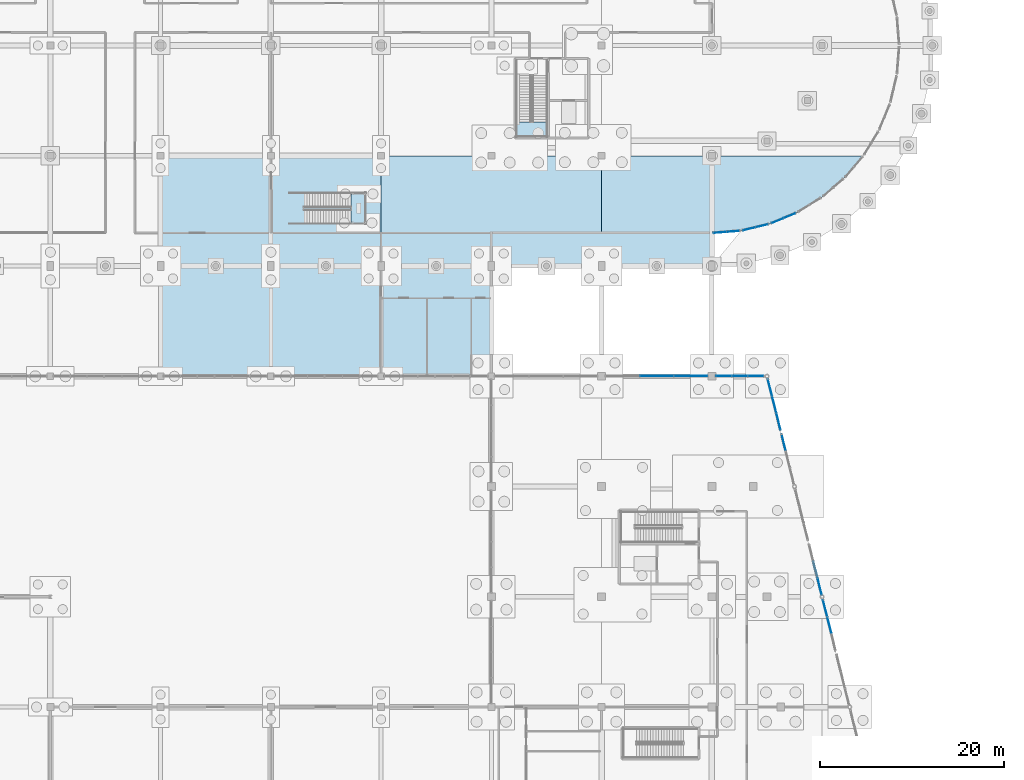
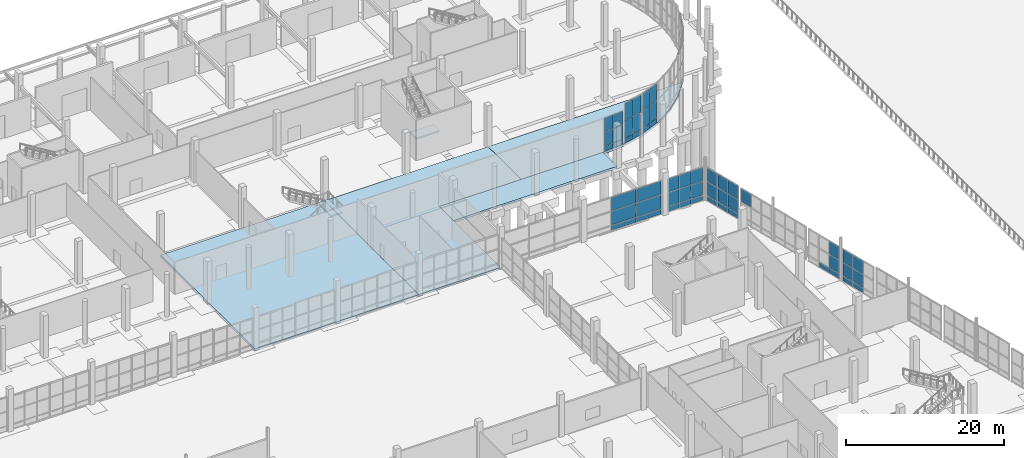
# One storey, part 69 of 117: 53 plates, 6 slabs, 11 elements without a shape of their own.
"""IFC4 building model written with IfcOpenShell, lengths in metres."""

from ifc_helpers import new_model, si_unit, direction, frame, origin, origin_2d, place, context, subcontext, project, spatial, polyline, rectangle, outline, extrude, material, layer, layer_set, type_object, element, aggregate, save


model = new_model("IFC4")

# Units and contexts
model_context = context("Model", 3, precision=1e-05, world=origin(), true_north=direction((0.0, 1.0)))
body_context = subcontext(model_context, "Body", "Model", "MODEL_VIEW")
ifc_project = project(units=[si_unit("LENGTHUNIT", "METRE"), si_unit("AREAUNIT", "SQUARE_METRE"), si_unit("VOLUMEUNIT", "CUBIC_METRE"), si_unit("PLANEANGLEUNIT", "RADIAN"), si_unit("MASSUNIT", "GRAM", prefix="KILO")], contexts=[model_context])

# Site, building, storey
site_placement = place(None, origin())
site = spatial("IfcSite", under=ifc_project, at=site_placement, CompositionType="ELEMENT")
building_placement = place(site_placement, origin())
building = spatial("IfcBuilding", under=site, at=building_placement, Name="Kamomehara Wholesale Market", CompositionType="ELEMENT")
storey_placement = place(building_placement, origin())
storey = spatial("IfcBuildingStorey", under=building, at=storey_placement, Name="L00", CompositionType="ELEMENT", Elevation=0.0)

# Curtain wall, plates
ifc_material_1 = material(Name="Anodised aluminium 6063-T5", Category="aluminium")
curtain_wall_type_1 = type_object("IfcCurtainWallType", Name="CW-UN-07", PredefinedType="NOTDEFINED", material=ifc_material_1)
curtain_wall_1_placement = place(storey_placement, origin())
curtain_wall_1 = element("IfcCurtainWall", 1, at=curtain_wall_1_placement, inside=storey, type_object=curtain_wall_type_1, Name="Unitised curtain wall CW-046", PredefinedType="NOTDEFINED")
ifc_material_2 = material(Name="Solar-control Low-E double glazing", Category="glass")
ifc_layer_1 = layer(ifc_material_2, 0.028076171875)
ifc_layer_set_1 = layer_set([ifc_layer_1], Name="Solar-control Low-E double glazing")
plate_type_1 = type_object("IfcPlateType", Name="CW-PNL-GLZ", PredefinedType="CURTAIN_PANEL", material=ifc_layer_set_1)
plate_1_placement = place(storey_placement, frame((188.446044921875, 113.464111328125, 0.8798828125), z_axis=(0.0, 0.0, 1.0), x_axis=(-0.923919601961, -0.382586681829, 0.0)))
plate_1 = element("IfcPlate", 2, at=plate_1_placement, type_object=plate_type_1, Name="Curtain panel CW-046.0.1", PredefinedType="CURTAIN_PANEL", context=body_context, shape_type="SweptSolid", body=[
    extrude(rectangle(XDim=1.341064453125, YDim=0.028076171875, at=origin_2d()), origin(), (0.0, 0.0, 1.0), 2.652099609375),
])
plate_2_placement = place(storey_placement, frame((188.446044921875, 113.464111328125, 3.59228515625), z_axis=(0.0, 0.0, 1.0), x_axis=(-0.923919601961, -0.382586681829, 0.0)))
plate_2 = element("IfcPlate", 3, at=plate_2_placement, type_object=plate_type_1, Name="Curtain panel CW-046.0.2", PredefinedType="CURTAIN_PANEL", context=body_context, shape_type="SweptSolid", body=[
    extrude(rectangle(XDim=1.341064453125, YDim=0.028076171875, at=origin_2d()), origin(), (0.0, 0.0, 1.0), 2.613037109375),
])
plate_3_placement = place(storey_placement, frame((187.134033203125, 112.919921875, 0.8798828125), z_axis=(0.0, 0.0, 1.0), x_axis=(-0.923919601961, -0.382586681829, 0.0)))
plate_3 = element("IfcPlate", 4, at=plate_3_placement, type_object=plate_type_1, Name="Curtain panel CW-046.1.1", PredefinedType="CURTAIN_PANEL", context=body_context, shape_type="SweptSolid", body=[
    extrude(rectangle(XDim=1.341064453125, YDim=0.028076171875, at=origin_2d()), origin(), (0.0, 0.0, 1.0), 2.652099609375),
])
plate_4_placement = place(storey_placement, frame((187.134033203125, 112.919921875, 3.59228515625), z_axis=(0.0, 0.0, 1.0), x_axis=(-0.923919601961, -0.382586681829, 0.0)))
plate_4 = element("IfcPlate", 5, at=plate_4_placement, type_object=plate_type_1, Name="Curtain panel CW-046.1.2", PredefinedType="CURTAIN_PANEL", context=body_context, shape_type="SweptSolid", body=[
    extrude(rectangle(XDim=1.341064453125, YDim=0.028076171875, at=origin_2d()), origin(), (0.0, 0.0, 1.0), 2.613037109375),
])

curtain_wall_2_placement = place(storey_placement, origin())
curtain_wall_2 = element("IfcCurtainWall", 6, at=curtain_wall_2_placement, inside=storey, type_object=curtain_wall_type_1, Name="Unitised curtain wall CW-047", PredefinedType="NOTDEFINED")
plate_5_placement = place(storey_placement, frame((185.443115234375, 112.37109375, 0.8798828125), z_axis=(0.0, 0.0, 1.0), x_axis=(-0.972398433872, -0.233326564717, 0.0)))
plate_5 = element("IfcPlate", 7, at=plate_5_placement, type_object=plate_type_1, Name="Curtain panel CW-047.0.1", PredefinedType="CURTAIN_PANEL", context=body_context, shape_type="SweptSolid", body=[
    extrude(rectangle(XDim=1.341064453125, YDim=0.028076171875, at=origin_2d()), origin(), (0.0, 0.0, 1.0), 2.652099609375),
])
plate_6_placement = place(storey_placement, frame((185.443115234375, 112.37109375, 3.59228515625), z_axis=(0.0, 0.0, 1.0), x_axis=(-0.972398433872, -0.233326564717, 0.0)))
plate_6 = element("IfcPlate", 8, at=plate_6_placement, type_object=plate_type_1, Name="Curtain panel CW-047.0.2", PredefinedType="CURTAIN_PANEL", context=body_context, shape_type="SweptSolid", body=[
    extrude(rectangle(XDim=1.341064453125, YDim=0.028076171875, at=origin_2d()), origin(), (0.0, 0.0, 1.0), 2.613037109375),
])
plate_7_placement = place(storey_placement, frame((184.06103515625, 112.0390625, 0.8798828125), z_axis=(0.0, 0.0, 1.0), x_axis=(-0.972398433872, -0.233326564717, 0.0)))
plate_7 = element("IfcPlate", 9, at=plate_7_placement, type_object=plate_type_1, Name="Curtain panel CW-047.1.1", PredefinedType="CURTAIN_PANEL", context=body_context, shape_type="SweptSolid", body=[
    extrude(rectangle(XDim=1.341064453125, YDim=0.028076171875, at=origin_2d()), origin(), (0.0, 0.0, 1.0), 2.652099609375),
])
plate_8_placement = place(storey_placement, frame((184.06103515625, 112.0390625, 3.59228515625), z_axis=(0.0, 0.0, 1.0), x_axis=(-0.972398433872, -0.233326564717, 0.0)))
plate_8 = element("IfcPlate", 10, at=plate_8_placement, type_object=plate_type_1, Name="Curtain panel CW-047.1.2", PredefinedType="CURTAIN_PANEL", context=body_context, shape_type="SweptSolid", body=[
    extrude(rectangle(XDim=1.341064453125, YDim=0.028076171875, at=origin_2d()), origin(), (0.0, 0.0, 1.0), 2.613037109375),
])

curtain_wall_3_placement = place(storey_placement, origin())
curtain_wall_3 = element("IfcCurtainWall", 11, at=curtain_wall_3_placement, inside=storey, type_object=curtain_wall_type_1, Name="Unitised curtain wall CW-048", PredefinedType="NOTDEFINED")
plate_9_placement = place(storey_placement, frame((182.304931640625, 111.760986328125, 0.880615234375), z_axis=(0.0, 0.0, 1.0), x_axis=(-0.996915964212, -0.078476495206, 0.0)))
plate_9 = element("IfcPlate", 12, at=plate_9_placement, type_object=plate_type_1, Name="Curtain panel CW-048.0.1", PredefinedType="CURTAIN_PANEL", context=body_context, shape_type="SweptSolid", body=[
    extrude(rectangle(XDim=1.341064453125, YDim=0.028076171875, at=origin_2d()), origin(), (0.0, 0.0, 1.0), 2.14892578125),
])
plate_10_placement = place(storey_placement, frame((182.304931640625, 111.760986328125, 3.088623046875), z_axis=(0.0, 0.0, 1.0), x_axis=(-0.996915964212, -0.078476495206, 0.0)))
plate_10 = element("IfcPlate", 13, at=plate_10_placement, type_object=plate_type_1, Name="Curtain panel CW-048.0.2", PredefinedType="CURTAIN_PANEL", context=body_context, shape_type="SweptSolid", body=[
    extrude(rectangle(XDim=1.341064453125, YDim=0.028076171875, at=origin_2d()), origin(), (0.0, 0.0, 1.0), 2.10888671875),
])
plate_11_placement = place(storey_placement, frame((180.888916015625, 111.64990234375, 0.880615234375), z_axis=(0.0, 0.0, 1.0), x_axis=(-0.996915964212, -0.078476495206, 0.0)))
plate_11 = element("IfcPlate", 14, at=plate_11_placement, type_object=plate_type_1, Name="Curtain panel CW-048.1.1", PredefinedType="CURTAIN_PANEL", context=body_context, shape_type="SweptSolid", body=[
    extrude(rectangle(XDim=1.341064453125, YDim=0.028076171875, at=origin_2d()), origin(), (0.0, 0.0, 1.0), 2.14892578125),
])
plate_12_placement = place(storey_placement, frame((180.888916015625, 111.64990234375, 3.088623046875), z_axis=(0.0, 0.0, 1.0), x_axis=(-0.996915964212, -0.078476495206, 0.0)))
plate_12 = element("IfcPlate", 15, at=plate_12_placement, type_object=plate_type_1, Name="Curtain panel CW-048.1.2", PredefinedType="CURTAIN_PANEL", context=body_context, shape_type="SweptSolid", body=[
    extrude(rectangle(XDim=1.341064453125, YDim=0.028076171875, at=origin_2d()), origin(), (0.0, 0.0, 1.0), 2.10888671875),
])

ifc_material_3 = material(Name="Anodised aluminium 6063-T5", Category="aluminium")
curtain_wall_type_2 = type_object("IfcCurtainWallType", Name="CW-UN-09", PredefinedType="NOTDEFINED", material=ifc_material_3)
curtain_wall_4_placement = place(storey_placement, origin())
curtain_wall_4 = element("IfcCurtainWall", 16, at=curtain_wall_4_placement, inside=storey, type_object=curtain_wall_type_2, Name="Unitised curtain wall CW-165", PredefinedType="NOTDEFINED")
plate_13_placement = place(storey_placement, frame((192.333984375, 70.74609375, 0.8798828125), z_axis=(0.0, 0.0, 1.0), x_axis=(0.242616162662, -0.970122362187, 0.0)))
plate_13 = element("IfcPlate", 17, at=plate_13_placement, type_object=plate_type_1, Name="Curtain panel CW-165.0.1", PredefinedType="CURTAIN_PANEL", context=body_context, shape_type="SweptSolid", body=[
    extrude(rectangle(XDim=1.81494140625, YDim=0.028076171875, at=origin_2d()), origin(), (0.0, 0.0, 1.0), 2.053955078125),
])
plate_14_placement = place(storey_placement, frame((192.333984375, 70.74609375, 2.994140625), z_axis=(0.0, 0.0, 1.0), x_axis=(0.242616162662, -0.970122362187, 0.0)))
plate_14 = element("IfcPlate", 18, at=plate_14_placement, type_object=plate_type_1, Name="Curtain panel CW-165.0.2", PredefinedType="CURTAIN_PANEL", context=body_context, shape_type="SweptSolid", body=[
    extrude(rectangle(XDim=1.81494140625, YDim=0.028076171875, at=origin_2d()), origin(), (0.0, 0.0, 1.0), 2.013916015625),
])
plate_15_placement = place(storey_placement, frame((192.7939453125, 68.907958984375, 0.8798828125), z_axis=(0.0, 0.0, 1.0), x_axis=(0.242616162662, -0.970122362187, 0.0)))
plate_15 = element("IfcPlate", 19, at=plate_15_placement, type_object=plate_type_1, Name="Curtain panel CW-165.1.1", PredefinedType="CURTAIN_PANEL", context=body_context, shape_type="SweptSolid", body=[
    extrude(rectangle(XDim=1.81494140625, YDim=0.028076171875, at=origin_2d()), origin(), (0.0, 0.0, 1.0), 2.053955078125),
])
plate_16_placement = place(storey_placement, frame((192.7939453125, 68.907958984375, 2.994140625), z_axis=(0.0, 0.0, 1.0), x_axis=(0.242616162662, -0.970122362187, 0.0)))
plate_16 = element("IfcPlate", 20, at=plate_16_placement, type_object=plate_type_1, Name="Curtain panel CW-165.1.2", PredefinedType="CURTAIN_PANEL", context=body_context, shape_type="SweptSolid", body=[
    extrude(rectangle(XDim=1.81494140625, YDim=0.028076171875, at=origin_2d()), origin(), (0.0, 0.0, 1.0), 2.013916015625),
])

curtain_wall_5_placement = place(storey_placement, origin())
curtain_wall_5 = element("IfcCurtainWall", 21, at=curtain_wall_5_placement, inside=storey, type_object=curtain_wall_type_2, Name="Unitised curtain wall CW-168", PredefinedType="NOTDEFINED")
plate_17_placement = place(storey_placement, frame((191.739990234375, 73.12109375, 0.8798828125), z_axis=(0.0, 0.0, 1.0), x_axis=(0.242497638046, -0.970151996103, 0.0)))
plate_17 = element("IfcPlate", 22, at=plate_17_placement, type_object=plate_type_1, Name="Curtain panel CW-168.2.1", PredefinedType="CURTAIN_PANEL", context=body_context, shape_type="SweptSolid", body=[
    extrude(rectangle(XDim=1.7939453125, YDim=0.028076171875, at=origin_2d()), origin(), (0.0, 0.0, 1.0), 2.053955078125),
])
plate_18_placement = place(storey_placement, frame((191.739990234375, 73.12109375, 2.994140625), z_axis=(0.0, 0.0, 1.0), x_axis=(0.242497638046, -0.970151996103, 0.0)))
plate_18 = element("IfcPlate", 23, at=plate_18_placement, type_object=plate_type_1, Name="Curtain panel CW-168.2.2", PredefinedType="CURTAIN_PANEL", context=body_context, shape_type="SweptSolid", body=[
    extrude(rectangle(XDim=1.7939453125, YDim=0.028076171875, at=origin_2d()), origin(), (0.0, 0.0, 1.0), 2.013916015625),
])

curtain_wall_6_placement = place(storey_placement, origin())
curtain_wall_6 = element("IfcCurtainWall", 24, at=curtain_wall_6_placement, inside=storey, type_object=curtain_wall_type_2, Name="Unitised curtain wall CW-169", PredefinedType="NOTDEFINED")
plate_19_placement = place(storey_placement, frame((186.333984375, 94.74609375, 0.880615234375), z_axis=(0.0, 0.0, 1.0), x_axis=(0.242616162662, -0.970122362187, 0.0)))
plate_19 = element("IfcPlate", 25, at=plate_19_placement, type_object=plate_type_1, Name="Curtain panel CW-169.0.1", PredefinedType="CURTAIN_PANEL", context=body_context, shape_type="SweptSolid", body=[
    extrude(rectangle(XDim=1.81494140625, YDim=0.028076171875, at=origin_2d()), origin(), (0.0, 0.0, 1.0), 2.12890625),
])
plate_20_placement = place(storey_placement, frame((186.333984375, 94.74609375, 3.0693359375), z_axis=(0.0, 0.0, 1.0), x_axis=(0.242616162662, -0.970122362187, 0.0)))
plate_20 = element("IfcPlate", 26, at=plate_20_placement, type_object=plate_type_1, Name="Curtain panel CW-169.0.2", PredefinedType="CURTAIN_PANEL", context=body_context, shape_type="SweptSolid", body=[
    extrude(rectangle(XDim=1.81494140625, YDim=0.028076171875, at=origin_2d()), origin(), (0.0, 0.0, 1.0), 2.089111328125),
])
plate_21_placement = place(storey_placement, frame((186.7939453125, 92.907958984375, 0.880615234375), z_axis=(0.0, 0.0, 1.0), x_axis=(0.242616162662, -0.970122362187, 0.0)))
plate_21 = element("IfcPlate", 27, at=plate_21_placement, type_object=plate_type_1, Name="Curtain panel CW-169.1.1", PredefinedType="CURTAIN_PANEL", context=body_context, shape_type="SweptSolid", body=[
    extrude(rectangle(XDim=1.81494140625, YDim=0.028076171875, at=origin_2d()), origin(), (0.0, 0.0, 1.0), 2.12890625),
])
plate_22_placement = place(storey_placement, frame((186.7939453125, 92.907958984375, 3.0693359375), z_axis=(0.0, 0.0, 1.0), x_axis=(0.242616162662, -0.970122362187, 0.0)))
plate_22 = element("IfcPlate", 28, at=plate_22_placement, type_object=plate_type_1, Name="Curtain panel CW-169.1.2", PredefinedType="CURTAIN_PANEL", context=body_context, shape_type="SweptSolid", body=[
    extrude(rectangle(XDim=1.81494140625, YDim=0.028076171875, at=origin_2d()), origin(), (0.0, 0.0, 1.0), 2.089111328125),
])
plate_23_placement = place(storey_placement, frame((187.25390625, 91.070068359375, 0.880615234375), z_axis=(0.0, 0.0, 1.0), x_axis=(0.242616162662, -0.970122362187, 0.0)))
plate_23 = element("IfcPlate", 29, at=plate_23_placement, type_object=plate_type_1, Name="Curtain panel CW-169.2.1", PredefinedType="CURTAIN_PANEL", context=body_context, shape_type="SweptSolid", body=[
    extrude(rectangle(XDim=1.81494140625, YDim=0.028076171875, at=origin_2d()), origin(), (0.0, 0.0, 1.0), 2.12890625),
])
plate_24_placement = place(storey_placement, frame((187.25390625, 91.070068359375, 3.0693359375), z_axis=(0.0, 0.0, 1.0), x_axis=(0.242616162662, -0.970122362187, 0.0)))
plate_24 = element("IfcPlate", 30, at=plate_24_placement, type_object=plate_type_1, Name="Curtain panel CW-169.2.2", PredefinedType="CURTAIN_PANEL", context=body_context, shape_type="SweptSolid", body=[
    extrude(rectangle(XDim=1.81494140625, YDim=0.028076171875, at=origin_2d()), origin(), (0.0, 0.0, 1.0), 2.089111328125),
])

# Curtain wall, plate
curtain_wall_7_placement = place(storey_placement, origin())
curtain_wall_7 = element("IfcCurtainWall", 31, at=curtain_wall_7_placement, inside=storey, type_object=curtain_wall_type_2, Name="Unitised curtain wall CW-170", PredefinedType="NOTDEFINED")
plate_25_placement = place(storey_placement, frame((187.83203125, 88.756103515625, 3.0185546875), z_axis=(0.0, 0.0, 1.0), x_axis=(0.242497638046, -0.970151996103, 0.0)))
plate_25 = element("IfcPlate", 32, at=plate_25_placement, type_object=plate_type_1, Name="Curtain panel CW-170.0.2", PredefinedType="CURTAIN_PANEL", context=body_context, shape_type="SweptSolid", body=[
    extrude(rectangle(XDim=1.7939453125, YDim=0.028076171875, at=origin_2d()), origin(), (0.0, 0.0, 1.0), 2.0390625),
])
aggregate(curtain_wall_7, [plate_25])

# Curtain wall, plates
ifc_material_4 = material(Name="Anodised aluminium 6063-T5", Category="aluminium")
curtain_wall_type_3 = type_object("IfcCurtainWallType", Name="CW-UN-08", PredefinedType="NOTDEFINED", material=ifc_material_4)
curtain_wall_8_placement = place(storey_placement, origin())
curtain_wall_8 = element("IfcCurtainWall", 33, at=curtain_wall_8_placement, inside=storey, type_object=curtain_wall_type_3, Name="Unitised curtain wall CW-172", PredefinedType="NOTDEFINED")
plate_26_placement = place(storey_placement, frame((174.0, 96.02001953125, 0.8798828125), z_axis=(0.0, 0.0, 1.0), x_axis=(1.0, 0.0, 0.0)))
plate_26 = element("IfcPlate", 34, at=plate_26_placement, type_object=plate_type_1, Name="Curtain panel CW-172.1.1", PredefinedType="CURTAIN_PANEL", context=body_context, shape_type="SweptSolid", body=[
    extrude(rectangle(XDim=3.6298828125, YDim=0.028076171875, at=origin_2d()), origin(), (0.0, 0.0, 1.0), 2.154052734375),
])
plate_27_placement = place(storey_placement, frame((174.0, 96.02001953125, 3.09375), z_axis=(0.0, 0.0, 1.0), x_axis=(1.0, 0.0, 0.0)))
plate_27 = element("IfcPlate", 35, at=plate_27_placement, type_object=plate_type_1, Name="Curtain panel CW-172.1.2", PredefinedType="CURTAIN_PANEL", context=body_context, shape_type="SweptSolid", body=[
    extrude(rectangle(XDim=3.6298828125, YDim=0.028076171875, at=origin_2d()), origin(), (0.0, 0.0, 1.0), 2.114013671875),
])
plate_28_placement = place(storey_placement, frame((177.7099609375, 96.02001953125, 0.8798828125), z_axis=(0.0, 0.0, 1.0), x_axis=(1.0, 0.0, 0.0)))
plate_28 = element("IfcPlate", 36, at=plate_28_placement, type_object=plate_type_1, Name="Curtain panel CW-172.2.1", PredefinedType="CURTAIN_PANEL", context=body_context, shape_type="SweptSolid", body=[
    extrude(rectangle(XDim=3.6298828125, YDim=0.028076171875, at=origin_2d()), origin(), (0.0, 0.0, 1.0), 2.154052734375),
])
plate_29_placement = place(storey_placement, frame((177.7099609375, 96.02001953125, 3.09375), z_axis=(0.0, 0.0, 1.0), x_axis=(1.0, 0.0, 0.0)))
plate_29 = element("IfcPlate", 37, at=plate_29_placement, type_object=plate_type_1, Name="Curtain panel CW-172.2.2", PredefinedType="CURTAIN_PANEL", context=body_context, shape_type="SweptSolid", body=[
    extrude(rectangle(XDim=3.6298828125, YDim=0.028076171875, at=origin_2d()), origin(), (0.0, 0.0, 1.0), 2.114013671875),
])

curtain_wall_9_placement = place(storey_placement, origin())
curtain_wall_9 = element("IfcCurtainWall", 38, at=curtain_wall_9_placement, inside=storey, type_object=curtain_wall_type_3, Name="Unitised curtain wall CW-173", PredefinedType="NOTDEFINED")
plate_30_placement = place(storey_placement, frame((181.303955078125, 96.02001953125, 0.880615234375), z_axis=(0.0, 0.0, 1.0), x_axis=(1.0, 0.0, 0.0)))
plate_30 = element("IfcPlate", 39, at=plate_30_placement, type_object=plate_type_1, Name="Curtain panel CW-173.0.1", PredefinedType="CURTAIN_PANEL", context=body_context, shape_type="SweptSolid", body=[
    extrude(rectangle(XDim=1.657958984375, YDim=0.028076171875, at=origin_2d()), origin(), (0.0, 0.0, 1.0), 2.12890625),
])
plate_31_placement = place(storey_placement, frame((181.303955078125, 96.02001953125, 3.0693359375), z_axis=(0.0, 0.0, 1.0), x_axis=(1.0, 0.0, 0.0)))
plate_31 = element("IfcPlate", 40, at=plate_31_placement, type_object=plate_type_1, Name="Curtain panel CW-173.0.2", PredefinedType="CURTAIN_PANEL", context=body_context, shape_type="SweptSolid", body=[
    extrude(rectangle(XDim=1.657958984375, YDim=0.028076171875, at=origin_2d()), origin(), (0.0, 0.0, 1.0), 2.089111328125),
])
plate_32_placement = place(storey_placement, frame((183.04296875, 96.02001953125, 0.880615234375), z_axis=(0.0, 0.0, 1.0), x_axis=(1.0, 0.0, 0.0)))
plate_32 = element("IfcPlate", 41, at=plate_32_placement, type_object=plate_type_1, Name="Curtain panel CW-173.1.1", PredefinedType="CURTAIN_PANEL", context=body_context, shape_type="SweptSolid", body=[
    extrude(rectangle(XDim=1.657958984375, YDim=0.028076171875, at=origin_2d()), origin(), (0.0, 0.0, 1.0), 2.12890625),
])
plate_33_placement = place(storey_placement, frame((183.04296875, 96.02001953125, 3.0693359375), z_axis=(0.0, 0.0, 1.0), x_axis=(1.0, 0.0, 0.0)))
plate_33 = element("IfcPlate", 42, at=plate_33_placement, type_object=plate_type_1, Name="Curtain panel CW-173.1.2", PredefinedType="CURTAIN_PANEL", context=body_context, shape_type="SweptSolid", body=[
    extrude(rectangle(XDim=1.657958984375, YDim=0.028076171875, at=origin_2d()), origin(), (0.0, 0.0, 1.0), 2.089111328125),
])
plate_34_placement = place(storey_placement, frame((184.781005859375, 96.02001953125, 0.880615234375), z_axis=(0.0, 0.0, 1.0), x_axis=(1.0, 0.0, 0.0)))
plate_34 = element("IfcPlate", 43, at=plate_34_placement, type_object=plate_type_1, Name="Curtain panel CW-173.2.1", PredefinedType="CURTAIN_PANEL", context=body_context, shape_type="SweptSolid", body=[
    extrude(rectangle(XDim=1.657958984375, YDim=0.028076171875, at=origin_2d()), origin(), (0.0, 0.0, 1.0), 2.12890625),
])
plate_35_placement = place(storey_placement, frame((184.781005859375, 96.02001953125, 3.0693359375), z_axis=(0.0, 0.0, 1.0), x_axis=(1.0, 0.0, 0.0)))
plate_35 = element("IfcPlate", 44, at=plate_35_placement, type_object=plate_type_1, Name="Curtain panel CW-173.2.2", PredefinedType="CURTAIN_PANEL", context=body_context, shape_type="SweptSolid", body=[
    extrude(rectangle(XDim=1.657958984375, YDim=0.028076171875, at=origin_2d()), origin(), (0.0, 0.0, 1.0), 2.089111328125),
])

# Plate
ifc_material_5 = material(Name="Insulated aluminium spandrel panel", Category="aluminium")
ifc_layer_2 = layer(ifc_material_5, 0.0400390625)
ifc_layer_set_2 = layer_set([ifc_layer_2], Name="Insulated aluminium spandrel panel")
plate_type_2 = type_object("IfcPlateType", Name="CW-PNL-SPN", PredefinedType="CURTAIN_PANEL", material=ifc_layer_set_2)
plate_36_placement = place(storey_placement, frame((188.446044921875, 113.464111328125, 0.070068359375), z_axis=(0.0, 0.0, 1.0), x_axis=(-0.923919601961, -0.382586681829, 0.0)))
plate_36 = element("IfcPlate", 45, at=plate_36_placement, type_object=plate_type_2, Name="Curtain panel CW-046.0.0", PredefinedType="CURTAIN_PANEL", context=body_context, shape_type="SweptSolid", body=[
    extrude(rectangle(XDim=1.341064453125, YDim=0.0400390625, at=origin_2d()), origin(), (0.0, 0.0, 1.0), 0.75),
])

plate_37_placement = place(storey_placement, frame((187.134033203125, 112.919921875, 0.070068359375), z_axis=(0.0, 0.0, 1.0), x_axis=(-0.923919601961, -0.382586681829, 0.0)))
plate_37 = element("IfcPlate", 46, at=plate_37_placement, type_object=plate_type_2, Name="Curtain panel CW-046.1.0", PredefinedType="CURTAIN_PANEL", context=body_context, shape_type="SweptSolid", body=[
    extrude(rectangle(XDim=1.341064453125, YDim=0.0400390625, at=origin_2d()), origin(), (0.0, 0.0, 1.0), 0.75),
])

aggregate(curtain_wall_1, [plate_36, plate_1, plate_2, plate_37, plate_3, plate_4])

plate_38_placement = place(storey_placement, frame((185.443115234375, 112.37109375, 0.070068359375), z_axis=(0.0, 0.0, 1.0), x_axis=(-0.972398433872, -0.233326564717, 0.0)))
plate_38 = element("IfcPlate", 47, at=plate_38_placement, type_object=plate_type_2, Name="Curtain panel CW-047.0.0", PredefinedType="CURTAIN_PANEL", context=body_context, shape_type="SweptSolid", body=[
    extrude(rectangle(XDim=1.341064453125, YDim=0.0400390625, at=origin_2d()), origin(), (0.0, 0.0, 1.0), 0.75),
])

plate_39_placement = place(storey_placement, frame((184.06103515625, 112.0390625, 0.070068359375), z_axis=(0.0, 0.0, 1.0), x_axis=(-0.972398433872, -0.233326564717, 0.0)))
plate_39 = element("IfcPlate", 48, at=plate_39_placement, type_object=plate_type_2, Name="Curtain panel CW-047.1.0", PredefinedType="CURTAIN_PANEL", context=body_context, shape_type="SweptSolid", body=[
    extrude(rectangle(XDim=1.341064453125, YDim=0.0400390625, at=origin_2d()), origin(), (0.0, 0.0, 1.0), 0.75),
])

aggregate(curtain_wall_2, [plate_38, plate_5, plate_6, plate_39, plate_7, plate_8])

plate_40_placement = place(storey_placement, frame((182.304931640625, 111.760986328125, 0.070068359375), z_axis=(0.0, 0.0, 1.0), x_axis=(-0.996915964212, -0.078476495206, 0.0)))
plate_40 = element("IfcPlate", 49, at=plate_40_placement, type_object=plate_type_2, Name="Curtain panel CW-048.0.0", PredefinedType="CURTAIN_PANEL", context=body_context, shape_type="SweptSolid", body=[
    extrude(rectangle(XDim=1.341064453125, YDim=0.0400390625, at=origin_2d()), origin(), (0.0, 0.0, 1.0), 0.75),
])

plate_41_placement = place(storey_placement, frame((180.888916015625, 111.64990234375, 0.070068359375), z_axis=(0.0, 0.0, 1.0), x_axis=(-0.996915964212, -0.078476495206, 0.0)))
plate_41 = element("IfcPlate", 50, at=plate_41_placement, type_object=plate_type_2, Name="Curtain panel CW-048.1.0", PredefinedType="CURTAIN_PANEL", context=body_context, shape_type="SweptSolid", body=[
    extrude(rectangle(XDim=1.341064453125, YDim=0.0400390625, at=origin_2d()), origin(), (0.0, 0.0, 1.0), 0.75),
])

aggregate(curtain_wall_3, [plate_40, plate_9, plate_10, plate_41, plate_11, plate_12])

plate_42_placement = place(storey_placement, frame((192.333984375, 70.74609375, 0.070068359375), z_axis=(0.0, 0.0, 1.0), x_axis=(0.242616162662, -0.970122362187, 0.0)))
plate_42 = element("IfcPlate", 51, at=plate_42_placement, type_object=plate_type_2, Name="Curtain panel CW-165.0.0", PredefinedType="CURTAIN_PANEL", context=body_context, shape_type="SweptSolid", body=[
    extrude(rectangle(XDim=1.81494140625, YDim=0.0400390625, at=origin_2d()), origin(), (0.0, 0.0, 1.0), 0.75),
])

plate_43_placement = place(storey_placement, frame((192.7939453125, 68.907958984375, 0.070068359375), z_axis=(0.0, 0.0, 1.0), x_axis=(0.242616162662, -0.970122362187, 0.0)))
plate_43 = element("IfcPlate", 52, at=plate_43_placement, type_object=plate_type_2, Name="Curtain panel CW-165.1.0", PredefinedType="CURTAIN_PANEL", context=body_context, shape_type="SweptSolid", body=[
    extrude(rectangle(XDim=1.81494140625, YDim=0.0400390625, at=origin_2d()), origin(), (0.0, 0.0, 1.0), 0.75),
])

aggregate(curtain_wall_4, [plate_42, plate_13, plate_14, plate_43, plate_15, plate_16])

plate_44_placement = place(storey_placement, frame((191.285888671875, 74.93798828125, 0.070068359375), z_axis=(0.0, 0.0, 1.0), x_axis=(0.242497638046, -0.970151996103, 0.0)))
plate_44 = element("IfcPlate", 53, at=plate_44_placement, type_object=plate_type_2, Name="Curtain panel CW-168.1.0", PredefinedType="CURTAIN_PANEL", context=body_context, shape_type="SweptSolid", body=[
    extrude(rectangle(XDim=1.7939453125, YDim=0.0400390625, at=origin_2d()), origin(), (0.0, 0.0, 1.0), 0.75),
])

plate_45_placement = place(storey_placement, frame((191.739990234375, 73.12109375, 0.070068359375), z_axis=(0.0, 0.0, 1.0), x_axis=(0.242497638046, -0.970151996103, 0.0)))
plate_45 = element("IfcPlate", 54, at=plate_45_placement, type_object=plate_type_2, Name="Curtain panel CW-168.2.0", PredefinedType="CURTAIN_PANEL", context=body_context, shape_type="SweptSolid", body=[
    extrude(rectangle(XDim=1.7939453125, YDim=0.0400390625, at=origin_2d()), origin(), (0.0, 0.0, 1.0), 0.75),
])

aggregate(curtain_wall_5, [plate_44, plate_45, plate_17, plate_18])

plate_46_placement = place(storey_placement, frame((186.333984375, 94.74609375, 0.070068359375), z_axis=(0.0, 0.0, 1.0), x_axis=(0.242616162662, -0.970122362187, 0.0)))
plate_46 = element("IfcPlate", 55, at=plate_46_placement, type_object=plate_type_2, Name="Curtain panel CW-169.0.0", PredefinedType="CURTAIN_PANEL", context=body_context, shape_type="SweptSolid", body=[
    extrude(rectangle(XDim=1.81494140625, YDim=0.0400390625, at=origin_2d()), origin(), (0.0, 0.0, 1.0), 0.75),
])

plate_47_placement = place(storey_placement, frame((186.7939453125, 92.907958984375, 0.070068359375), z_axis=(0.0, 0.0, 1.0), x_axis=(0.242616162662, -0.970122362187, 0.0)))
plate_47 = element("IfcPlate", 56, at=plate_47_placement, type_object=plate_type_2, Name="Curtain panel CW-169.1.0", PredefinedType="CURTAIN_PANEL", context=body_context, shape_type="SweptSolid", body=[
    extrude(rectangle(XDim=1.81494140625, YDim=0.0400390625, at=origin_2d()), origin(), (0.0, 0.0, 1.0), 0.75),
])

plate_48_placement = place(storey_placement, frame((187.25390625, 91.070068359375, 0.070068359375), z_axis=(0.0, 0.0, 1.0), x_axis=(0.242616162662, -0.970122362187, 0.0)))
plate_48 = element("IfcPlate", 57, at=plate_48_placement, type_object=plate_type_2, Name="Curtain panel CW-169.2.0", PredefinedType="CURTAIN_PANEL", context=body_context, shape_type="SweptSolid", body=[
    extrude(rectangle(XDim=1.81494140625, YDim=0.0400390625, at=origin_2d()), origin(), (0.0, 0.0, 1.0), 0.75),
])

aggregate(curtain_wall_6, [plate_46, plate_19, plate_20, plate_47, plate_21, plate_22, plate_48, plate_23, plate_24])

plate_49_placement = place(storey_placement, frame((174.0, 96.02001953125, 0.070068359375), z_axis=(0.0, 0.0, 1.0), x_axis=(1.0, 0.0, 0.0)))
plate_49 = element("IfcPlate", 58, at=plate_49_placement, type_object=plate_type_2, Name="Curtain panel CW-172.1.0", PredefinedType="CURTAIN_PANEL", context=body_context, shape_type="SweptSolid", body=[
    extrude(rectangle(XDim=3.6298828125, YDim=0.0400390625, at=origin_2d()), origin(), (0.0, 0.0, 1.0), 0.75),
])

plate_50_placement = place(storey_placement, frame((177.7099609375, 96.02001953125, 0.070068359375), z_axis=(0.0, 0.0, 1.0), x_axis=(1.0, 0.0, 0.0)))
plate_50 = element("IfcPlate", 59, at=plate_50_placement, type_object=plate_type_2, Name="Curtain panel CW-172.2.0", PredefinedType="CURTAIN_PANEL", context=body_context, shape_type="SweptSolid", body=[
    extrude(rectangle(XDim=3.6298828125, YDim=0.0400390625, at=origin_2d()), origin(), (0.0, 0.0, 1.0), 0.75),
])

aggregate(curtain_wall_8, [plate_49, plate_26, plate_27, plate_50, plate_28, plate_29])

plate_51_placement = place(storey_placement, frame((181.303955078125, 96.02001953125, 0.070068359375), z_axis=(0.0, 0.0, 1.0), x_axis=(1.0, 0.0, 0.0)))
plate_51 = element("IfcPlate", 60, at=plate_51_placement, type_object=plate_type_2, Name="Curtain panel CW-173.0.0", PredefinedType="CURTAIN_PANEL", context=body_context, shape_type="SweptSolid", body=[
    extrude(rectangle(XDim=1.657958984375, YDim=0.0400390625, at=origin_2d()), origin(), (0.0, 0.0, 1.0), 0.75),
])

plate_52_placement = place(storey_placement, frame((183.04296875, 96.02001953125, 0.070068359375), z_axis=(0.0, 0.0, 1.0), x_axis=(1.0, 0.0, 0.0)))
plate_52 = element("IfcPlate", 61, at=plate_52_placement, type_object=plate_type_2, Name="Curtain panel CW-173.1.0", PredefinedType="CURTAIN_PANEL", context=body_context, shape_type="SweptSolid", body=[
    extrude(rectangle(XDim=1.657958984375, YDim=0.0400390625, at=origin_2d()), origin(), (0.0, 0.0, 1.0), 0.75),
])

plate_53_placement = place(storey_placement, frame((184.781005859375, 96.02001953125, 0.070068359375), z_axis=(0.0, 0.0, 1.0), x_axis=(1.0, 0.0, 0.0)))
plate_53 = element("IfcPlate", 62, at=plate_53_placement, type_object=plate_type_2, Name="Curtain panel CW-173.2.0", PredefinedType="CURTAIN_PANEL", context=body_context, shape_type="SweptSolid", body=[
    extrude(rectangle(XDim=1.657958984375, YDim=0.0400390625, at=origin_2d()), origin(), (0.0, 0.0, 1.0), 0.75),
])

aggregate(curtain_wall_9, [plate_51, plate_30, plate_31, plate_52, plate_32, plate_33, plate_53, plate_34, plate_35])

# Slabs
ifc_material_6 = material(Name="Concrete Fc30 (C30/37)", Category="concrete")
ifc_layer_3 = layer(ifc_material_6, 0.31201171875)
ifc_layer_set_3 = layer_set([ifc_layer_3], Name="Concrete Fc30 (C30/37)")
slab_type_1 = type_object("IfcSlabType", Name="SLB-BASE-300", PredefinedType="BASESLAB", material=ifc_layer_set_3)
slab_1_placement = place(storey_placement, frame((0.0, 0.0, -0.31201171875)))
element("IfcSlab", 63, at=slab_1_placement, inside=storey, type_object=slab_type_1, Name="Floor slab V1 L00 15", PredefinedType="BASESLAB", context=body_context, shape_type="SweptSolid", body=[
    extrude(outline(polyline([(144.0, 120.0), (168.0, 120.0), (168.0, 111.60009765625), (156.0, 111.60009765625), (156.0, 96.0), (144.0, 96.0), (144.0, 120.0)])), origin(), (0.0, 0.0, 1.0), 0.31201171875),
])
ifc_material_7 = material(Name="Concrete Fc30 (C30/37)", Category="concrete")
ifc_layer_4 = layer(ifc_material_7, 0.3798828125)
ifc_layer_set_4 = layer_set([ifc_layer_4], Name="Concrete Fc30 (C30/37)")
slab_type_2 = type_object("IfcSlabType", Name="SLB-BASE-380", PredefinedType="BASESLAB", material=ifc_layer_set_4)
slab_2_placement = place(storey_placement, frame((0.0, 0.0, -0.3798828125)))
element("IfcSlab", 64, at=slab_2_placement, inside=storey, type_object=slab_type_2, Name="Floor slab V1 L00 17", PredefinedType="BASESLAB", context=body_context, shape_type="SweptSolid", body=[
    extrude(outline(polyline([(168.0, 120.0), (196.49609375, 120.0), (194.425048828125, 117.574951171875), (191.990966796875, 115.49609375), (189.260986328125, 113.822998046875), (186.303955078125, 112.597900390625), (183.19091796875, 111.85107421875), (180.0, 111.60009765625), (168.0, 111.60009765625), (168.0, 120.0)])), origin(), (0.0, 0.0, 1.0), 0.3798828125),
])
ifc_material_8 = material(Name="Concrete Fc30 (C30/37)", Category="concrete")
ifc_layer_5 = layer(ifc_material_8, 0.39990234375)
ifc_layer_set_5 = layer_set([ifc_layer_5], Name="Concrete Fc30 (C30/37)")
slab_type_3 = type_object("IfcSlabType", Name="SLB-BASE-400", PredefinedType="BASESLAB", material=ifc_layer_set_5)
slab_3_placement = place(storey_placement, frame((0.0, 0.0, -0.39990234375)))
element("IfcSlab", 65, at=slab_3_placement, inside=storey, type_object=slab_type_3, Name="Floor slab V1 L00 13", PredefinedType="BASESLAB", context=body_context, shape_type="SweptSolid", body=[
    extrude(outline(polyline([(120.0, 120.0), (144.0, 120.0), (144.0, 96.0), (120.0, 96.0), (120.0, 120.0)])), origin(), (0.0, 0.0, 1.0), 0.39990234375),
])
ifc_material_9 = material(Name="Concrete Fc30 (C30/37)", Category="concrete")
ifc_layer_6 = layer(ifc_material_9, 0.3349609375)
ifc_layer_set_6 = layer_set([ifc_layer_6], Name="Concrete Fc30 (C30/37)")
slab_type_4 = type_object("IfcSlabType", Name="SLB-EXT-240", PredefinedType="FLOOR", material=ifc_layer_set_6)
slab_4_placement = place(storey_placement, frame((0.0, 0.0, -0.3349609375)))
element("IfcSlab", 66, at=slab_4_placement, inside=storey, type_object=slab_type_4, Name="External slab OSLB-L00-ARC-SE", PredefinedType="FLOOR", context=body_context, shape_type="SweptSolid", body=[
    extrude(outline(polyline([(156.0, 108.0), (180.0, 108.0), (180.0, 111.60009765625), (156.0, 111.60009765625), (156.0, 108.0)])), origin(), (0.0, 0.0, 1.0), 0.3349609375),
])

# Stair, slab
ifc_material_10 = material(Name="Concrete Fc36 (C35/45)", Category="concrete")
stair_type_1 = type_object("IfcStairType", Name="STR-DL-02", PredefinedType="HALF_TURN_STAIR", material=ifc_material_10)
stair_1_placement = place(storey_placement, origin())
stair_1 = element("IfcStair", 67, at=stair_1_placement, inside=storey, type_object=stair_type_1, Name="L00 Core exit stair ST-02", PredefinedType="HALF_TURN_STAIR")
ifc_material_11 = material(Name="Concrete Fc36 (C35/45)", Category="concrete")
ifc_layer_7 = layer(ifc_material_11, 0.199951171875)
ifc_layer_set_7 = layer_set([ifc_layer_7], Name="Concrete Fc36 (C35/45)")
slab_type_5 = type_object("IfcSlabType", Name="SLB-LND-200", PredefinedType="LANDING", material=ifc_layer_set_7)
slab_5_placement = place(storey_placement, frame((0.0, 0.0, 3.10009765625)))
slab_5 = element("IfcSlab", 68, at=slab_5_placement, type_object=slab_type_5, Name="ST-02 landing 1", PredefinedType="LANDING", context=body_context, shape_type="SweptSolid", body=[
    extrude(outline(polyline([(158.699951171875, 123.64990234375), (158.699951171875, 122.050048828125), (162.10009765625, 122.050048828125), (162.10009765625, 123.64990234375), (158.699951171875, 123.64990234375)])), origin(), (0.0, 0.0, 1.0), 0.199951171875),
])
aggregate(stair_1, [slab_5])

ifc_material_12 = material(Name="Concrete Fc36 (C35/45)", Category="concrete")
stair_type_2 = type_object("IfcStairType", Name="STR-DL-06", PredefinedType="HALF_TURN_STAIR", material=ifc_material_12)
stair_2_placement = place(storey_placement, origin())
stair_2 = element("IfcStair", 69, at=stair_2_placement, inside=storey, type_object=stair_type_2, Name="L00 Exit stair ST-12", PredefinedType="HALF_TURN_STAIR")
slab_6_placement = place(storey_placement, frame((0.0, 0.0, 3.10009765625)))
slab_6 = element("IfcSlab", 70, at=slab_6_placement, type_object=slab_type_5, Name="ST-12 landing 1", PredefinedType="LANDING", context=body_context, shape_type="SweptSolid", body=[
    extrude(outline(polyline([(140.719970703125, 112.550048828125), (142.340087890625, 112.550048828125), (142.340087890625, 115.989990234375), (140.719970703125, 115.989990234375), (140.719970703125, 112.550048828125)])), origin(), (0.0, 0.0, 1.0), 0.199951171875),
])
aggregate(stair_2, [slab_6])

save(model, "model.ifc")
